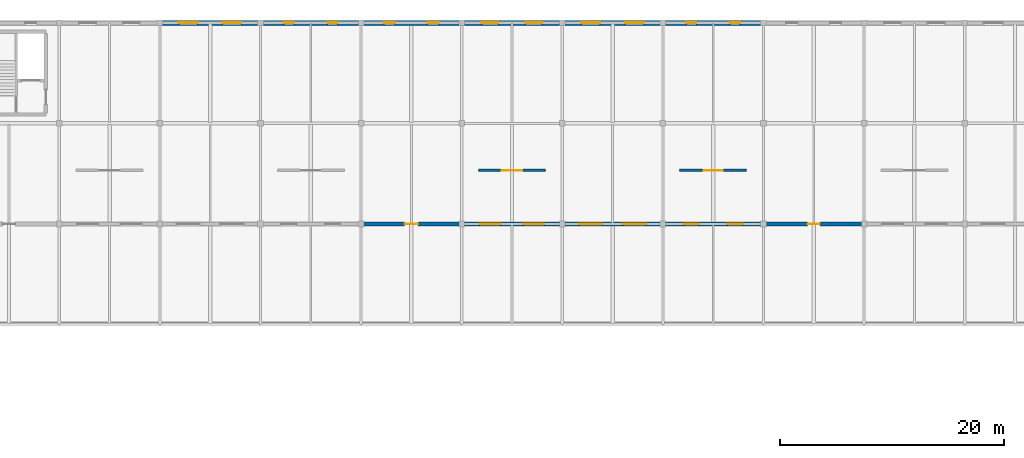
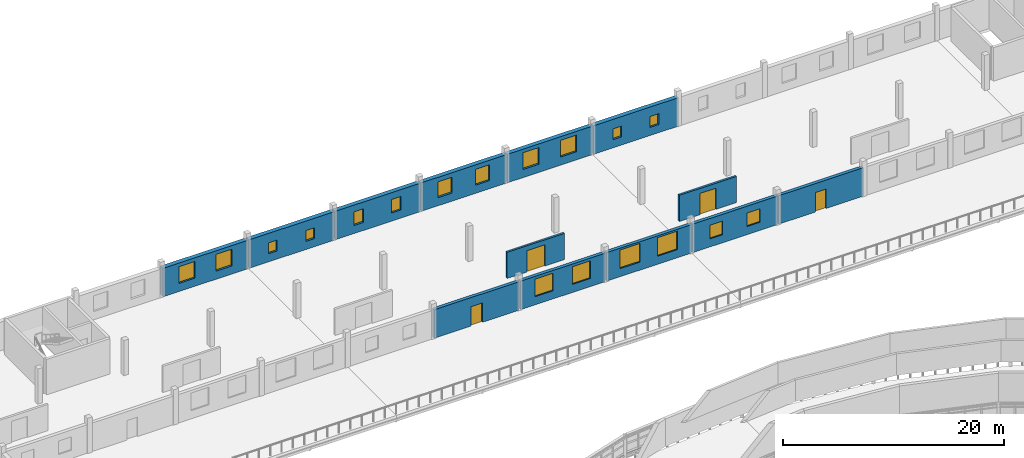
# One storey, part 110 of 123: 18 windows, 13 walls, 4 doors, 22 openings.
"""IFC4 building model written with IfcOpenShell, lengths in metres."""

from ifc_helpers import new_model, si_unit, direction, frame, frame_2d, origin, place, context, subcontext, project, spatial, rectangle, extrude, material, layer, layer_set, type_object, element, fill, save


model = new_model("IFC4")

# Units and contexts
model_context = context("Model", 3, precision=1e-05, world=origin(), true_north=direction((0.0, 1.0)))
body_context = subcontext(model_context, "Body", "Model", "MODEL_VIEW")
ifc_project = project(units=[si_unit("LENGTHUNIT", "METRE"), si_unit("AREAUNIT", "SQUARE_METRE"), si_unit("VOLUMEUNIT", "CUBIC_METRE"), si_unit("PLANEANGLEUNIT", "RADIAN"), si_unit("MASSUNIT", "GRAM", prefix="KILO")], contexts=[model_context])

# Site, building, storey
site_placement = place(None, origin())
site = spatial("IfcSite", under=ifc_project, at=site_placement, CompositionType="ELEMENT")
building_placement = place(site_placement, origin())
building = spatial("IfcBuilding", under=site, at=building_placement, Name="Kildeholm Park Wholesale Market", CompositionType="ELEMENT")
storey_placement = place(building_placement, frame((0.0, 0.0, 9.60009765625)))
storey = spatial("IfcBuildingStorey", under=building, at=storey_placement, Name="L02", CompositionType="ELEMENT", Elevation=9.60009765625)

# Wall, openings, windows
ifc_material_1 = material(Name="Precast concrete C40/50 ripening envelope wall", Category="concrete")
ifc_layer_1 = layer(ifc_material_1, 0.449951171875)
ifc_layer_set_1 = layer_set([ifc_layer_1], Name="Precast concrete C40/50 ripening envelope wall")
wall_type_1 = type_object("IfcWallType", Name="Exterior wall W-CS3 450 mm", PredefinedType="SOLIDWALL", material=ifc_layer_set_1)
wall_1_placement = place(storey_placement, frame((63.06005859375, 171.0, 0.0), z_axis=(0.0, 0.0, 1.0), x_axis=(1.0, 0.0, 0.0)))
wall_1 = element("IfcWall", 1, at=wall_1_placement, inside=storey, type_object=wall_type_1, Name="Exterior wall V4N-L02.8 WL-0364", PredefinedType="SOLIDWALL", context=body_context, shape_type="SweptSolid", body=[
    extrude(rectangle(XDim=8.8798828125, YDim=0.449951171875, at=frame_2d((4.43994140625, 0.0))), origin(), (0.0, 0.0, 1.0), 3.14990234375),
])
opening_1_placement = place(wall_1_placement, frame((1.64599609375, 0.0, 0.89990234375)))
opening_1 = element("IfcOpeningElement", 2, at=opening_1_placement, cuts=wall_1, Name="Opening WN-38", PredefinedType="OPENING", context=body_context, shape_type="SweptSolid", body=[
    extrude(rectangle(XDim=1.679931640625, YDim=1.85009765625, at=frame_2d((0.83984375, 0.925048828125))), frame((0.0, 0.23486328125, 0.0), z_axis=(0.0, -1.0, 0.0), x_axis=(1.0, 0.0, 0.0)), (0.0, 0.0, 1.0), 0.469970703125),
])
opening_2_placement = place(wall_1_placement, frame((5.553955078125, 0.0, 0.89990234375)))
opening_2 = element("IfcOpeningElement", 3, at=opening_2_placement, cuts=wall_1, Name="Opening WN-38", PredefinedType="OPENING", context=body_context, shape_type="SweptSolid", body=[
    extrude(rectangle(XDim=1.679931640625, YDim=1.85009765625, at=frame_2d((0.83984375, 0.925048828125))), frame((0.0, 0.23486328125, 0.0), z_axis=(0.0, -1.0, 0.0), x_axis=(1.0, 0.0, 0.0)), (0.0, 0.0, 1.0), 0.469970703125),
])
ifc_material_2 = material(Name="Thermally broken aluminium and triple-glazed low-E glass", Category="aluminium")
window_type_1 = type_object("IfcWindowType", Name="Window WN-38 1680x1850", PartitioningType="DOUBLE_PANEL_VERTICAL", PredefinedType="WINDOW", material=ifc_material_2)
window_1_placement = place(opening_1_placement, origin())
window_1 = element("IfcWindow", 4, at=window_1_placement, inside=storey, type_object=window_type_1, Name="Window V4N-L02.8.1 WIN-0155", OverallHeight=1.85009765625, OverallWidth=1.679931640625, PartitioningType="SINGLE_PANEL", PredefinedType="WINDOW", context=body_context, shape_type="SweptSolid", body=[
    extrude(rectangle(XDim=1.679931640625, YDim=1.85009765625, at=frame_2d((0.83984375, 0.925048828125))), frame((0.0, 0.030029296875, 0.0), z_axis=(0.0, -1.0, 0.0), x_axis=(1.0, 0.0, 0.0)), (0.0, 0.0, 1.0), 0.06005859375),
])
fill(opening_1, window_1)
window_2_placement = place(opening_2_placement, origin())
window_2 = element("IfcWindow", 5, at=window_2_placement, inside=storey, type_object=window_type_1, Name="Window V4N-L02.8.2 WIN-0156", OverallHeight=1.85009765625, OverallWidth=1.679931640625, PartitioningType="SINGLE_PANEL", PredefinedType="WINDOW", context=body_context, shape_type="SweptSolid", body=[
    extrude(rectangle(XDim=1.679931640625, YDim=1.85009765625, at=frame_2d((0.83984375, 0.925048828125))), frame((0.0, 0.030029296875, 0.0), z_axis=(0.0, -1.0, 0.0), x_axis=(1.0, 0.0, 0.0)), (0.0, 0.0, 1.0), 0.06005859375),
])
fill(opening_2, window_2)

wall_2_placement = place(storey_placement, frame((72.06005859375, 171.0, 0.0), z_axis=(0.0, 0.0, 1.0), x_axis=(1.0, 0.0, 0.0)))
wall_2 = element("IfcWall", 6, at=wall_2_placement, inside=storey, type_object=wall_type_1, Name="Exterior wall V4N-L02.9 WL-0365", PredefinedType="SOLIDWALL", context=body_context, shape_type="SweptSolid", body=[
    extrude(rectangle(XDim=8.8798828125, YDim=0.449951171875, at=frame_2d((4.43994140625, 0.0))), origin(), (0.0, 0.0, 1.0), 3.14990234375),
])
opening_3_placement = place(wall_2_placement, frame((2.035888671875, 0.0, 0.89990234375)))
opening_3 = element("IfcOpeningElement", 7, at=opening_3_placement, cuts=wall_2, Name="Opening WN-17", PredefinedType="OPENING", context=body_context, shape_type="SweptSolid", body=[
    extrude(rectangle(XDim=0.89990234375, YDim=1.199951171875, at=frame_2d((0.449951171875, 0.60009765625))), frame((0.0, 0.23486328125, 0.0), z_axis=(0.0, -1.0, 0.0), x_axis=(1.0, 0.0, 0.0)), (0.0, 0.0, 1.0), 0.469970703125),
])
opening_4_placement = place(wall_2_placement, frame((5.944091796875, 0.0, 0.89990234375)))
opening_4 = element("IfcOpeningElement", 8, at=opening_4_placement, cuts=wall_2, Name="Opening WN-17", PredefinedType="OPENING", context=body_context, shape_type="SweptSolid", body=[
    extrude(rectangle(XDim=0.89990234375, YDim=1.199951171875, at=frame_2d((0.449951171875, 0.60009765625))), frame((0.0, 0.23486328125, 0.0), z_axis=(0.0, -1.0, 0.0), x_axis=(1.0, 0.0, 0.0)), (0.0, 0.0, 1.0), 0.469970703125),
])
window_type_2 = type_object("IfcWindowType", Name="Window WN-17 900x1200", PartitioningType="SINGLE_PANEL", PredefinedType="WINDOW", material=ifc_material_2)
window_3_placement = place(opening_3_placement, origin())
window_3 = element("IfcWindow", 9, at=window_3_placement, inside=storey, type_object=window_type_2, Name="Window V4N-L02.9.1 WIN-0157", OverallHeight=1.199951171875, OverallWidth=0.89990234375, PartitioningType="SINGLE_PANEL", PredefinedType="WINDOW", context=body_context, shape_type="SweptSolid", body=[
    extrude(rectangle(XDim=0.89990234375, YDim=1.199951171875, at=frame_2d((0.449951171875, 0.60009765625))), frame((0.0, 0.030029296875, 0.0), z_axis=(0.0, -1.0, 0.0), x_axis=(1.0, 0.0, 0.0)), (0.0, 0.0, 1.0), 0.06005859375),
])
fill(opening_3, window_3)
window_4_placement = place(opening_4_placement, origin())
window_4 = element("IfcWindow", 10, at=window_4_placement, inside=storey, type_object=window_type_2, Name="Window V4N-L02.9.2 WIN-0158", OverallHeight=1.199951171875, OverallWidth=0.89990234375, PartitioningType="SINGLE_PANEL", PredefinedType="WINDOW", context=body_context, shape_type="SweptSolid", body=[
    extrude(rectangle(XDim=0.89990234375, YDim=1.199951171875, at=frame_2d((0.449951171875, 0.60009765625))), frame((0.0, 0.030029296875, 0.0), z_axis=(0.0, -1.0, 0.0), x_axis=(1.0, 0.0, 0.0)), (0.0, 0.0, 1.0), 0.06005859375),
])
fill(opening_4, window_4)

wall_3_placement = place(storey_placement, frame((81.06005859375, 171.0, 0.0), z_axis=(0.0, 0.0, 1.0), x_axis=(1.0, 0.0, 0.0)))
wall_3 = element("IfcWall", 11, at=wall_3_placement, inside=storey, type_object=wall_type_1, Name="Exterior wall V4N-L02.10 WL-0366", PredefinedType="SOLIDWALL", context=body_context, shape_type="SweptSolid", body=[
    extrude(rectangle(XDim=8.8798828125, YDim=0.449951171875, at=frame_2d((4.43994140625, 0.0))), origin(), (0.0, 0.0, 1.0), 3.14990234375),
])
opening_5_placement = place(wall_3_placement, frame((1.986083984375, 0.0, 0.89990234375)))
opening_5 = element("IfcOpeningElement", 12, at=opening_5_placement, cuts=wall_3, Name="Opening WN-09", PredefinedType="OPENING", context=body_context, shape_type="SweptSolid", body=[
    extrude(rectangle(XDim=1.0, YDim=1.5, at=frame_2d((0.5, 0.75))), frame((0.0, 0.23486328125, 0.0), z_axis=(0.0, -1.0, 0.0), x_axis=(1.0, 0.0, 0.0)), (0.0, 0.0, 1.0), 0.469970703125),
])
opening_6_placement = place(wall_3_placement, frame((5.89404296875, 0.0, 0.89990234375)))
opening_6 = element("IfcOpeningElement", 13, at=opening_6_placement, cuts=wall_3, Name="Opening WN-09", PredefinedType="OPENING", context=body_context, shape_type="SweptSolid", body=[
    extrude(rectangle(XDim=1.0, YDim=1.5, at=frame_2d((0.5, 0.75))), frame((0.0, 0.23486328125, 0.0), z_axis=(0.0, -1.0, 0.0), x_axis=(1.0, 0.0, 0.0)), (0.0, 0.0, 1.0), 0.469970703125),
])
window_type_3 = type_object("IfcWindowType", Name="Window WN-09 1000x1500", PartitioningType="SINGLE_PANEL", PredefinedType="WINDOW", material=ifc_material_2)
window_5_placement = place(opening_5_placement, origin())
window_5 = element("IfcWindow", 14, at=window_5_placement, inside=storey, type_object=window_type_3, Name="Window V4N-L02.10.1 WIN-0159", OverallHeight=1.5, OverallWidth=1.0, PartitioningType="SINGLE_PANEL", PredefinedType="WINDOW", context=body_context, shape_type="SweptSolid", body=[
    extrude(rectangle(XDim=1.0, YDim=1.5, at=frame_2d((0.5, 0.75))), frame((0.0, 0.030029296875, 0.0), z_axis=(0.0, -1.0, 0.0), x_axis=(1.0, 0.0, 0.0)), (0.0, 0.0, 1.0), 0.06005859375),
])
fill(opening_5, window_5)
window_6_placement = place(opening_6_placement, origin())
window_6 = element("IfcWindow", 15, at=window_6_placement, inside=storey, type_object=window_type_3, Name="Window V4N-L02.10.2 WIN-0160", OverallHeight=1.5, OverallWidth=1.0, PartitioningType="SINGLE_PANEL", PredefinedType="WINDOW", context=body_context, shape_type="SweptSolid", body=[
    extrude(rectangle(XDim=1.0, YDim=1.5, at=frame_2d((0.5, 0.75))), frame((0.0, 0.030029296875, 0.0), z_axis=(0.0, -1.0, 0.0), x_axis=(1.0, 0.0, 0.0)), (0.0, 0.0, 1.0), 0.06005859375),
])
fill(opening_6, window_6)

wall_4_placement = place(storey_placement, frame((90.06005859375, 171.0, 0.0), z_axis=(0.0, 0.0, 1.0), x_axis=(1.0, 0.0, 0.0)))
wall_4 = element("IfcWall", 16, at=wall_4_placement, inside=storey, type_object=wall_type_1, Name="Exterior wall V4N-L02.11 WL-0367", PredefinedType="SOLIDWALL", context=body_context, shape_type="SweptSolid", body=[
    extrude(rectangle(XDim=8.8798828125, YDim=0.449951171875, at=frame_2d((4.43994140625, 0.0))), origin(), (0.0, 0.0, 1.0), 3.14990234375),
])
opening_7_placement = place(wall_4_placement, frame((1.74609375, 0.0, 0.89990234375)))
opening_7 = element("IfcOpeningElement", 17, at=opening_7_placement, cuts=wall_4, Name="Opening WN-37", PredefinedType="OPENING", context=body_context, shape_type="SweptSolid", body=[
    extrude(rectangle(XDim=1.47998046875, YDim=1.75, at=frame_2d((0.739990234375, 0.875))), frame((0.0, 0.23486328125, 0.0), z_axis=(0.0, -1.0, 0.0), x_axis=(1.0, 0.0, 0.0)), (0.0, 0.0, 1.0), 0.469970703125),
])
opening_8_placement = place(wall_4_placement, frame((5.654052734375, 0.0, 0.89990234375)))
opening_8 = element("IfcOpeningElement", 18, at=opening_8_placement, cuts=wall_4, Name="Opening WN-37", PredefinedType="OPENING", context=body_context, shape_type="SweptSolid", body=[
    extrude(rectangle(XDim=1.47998046875, YDim=1.75, at=frame_2d((0.739990234375, 0.875))), frame((0.0, 0.23486328125, 0.0), z_axis=(0.0, -1.0, 0.0), x_axis=(1.0, 0.0, 0.0)), (0.0, 0.0, 1.0), 0.469970703125),
])
window_type_4 = type_object("IfcWindowType", Name="Window WN-37 1480x1750", PartitioningType="DOUBLE_PANEL_VERTICAL", PredefinedType="WINDOW", material=ifc_material_2)
window_7_placement = place(opening_7_placement, origin())
window_7 = element("IfcWindow", 19, at=window_7_placement, inside=storey, type_object=window_type_4, Name="Window V4N-L02.11.1 WIN-0161", OverallHeight=1.75, OverallWidth=1.47998046875, PartitioningType="SINGLE_PANEL", PredefinedType="WINDOW", context=body_context, shape_type="SweptSolid", body=[
    extrude(rectangle(XDim=1.47998046875, YDim=1.75, at=frame_2d((0.739990234375, 0.875))), frame((0.0, 0.030029296875, 0.0), z_axis=(0.0, -1.0, 0.0), x_axis=(1.0, 0.0, 0.0)), (0.0, 0.0, 1.0), 0.06005859375),
])
fill(opening_7, window_7)
window_8_placement = place(opening_8_placement, origin())
window_8 = element("IfcWindow", 20, at=window_8_placement, inside=storey, type_object=window_type_4, Name="Window V4N-L02.11.2 WIN-0162", OverallHeight=1.75, OverallWidth=1.47998046875, PartitioningType="SINGLE_PANEL", PredefinedType="WINDOW", context=body_context, shape_type="SweptSolid", body=[
    extrude(rectangle(XDim=1.47998046875, YDim=1.75, at=frame_2d((0.739990234375, 0.875))), frame((0.0, 0.030029296875, 0.0), z_axis=(0.0, -1.0, 0.0), x_axis=(1.0, 0.0, 0.0)), (0.0, 0.0, 1.0), 0.06005859375),
])
fill(opening_8, window_8)

wall_5_placement = place(storey_placement, frame((99.06005859375, 171.0, 0.0), z_axis=(0.0, 0.0, 1.0), x_axis=(1.0, 0.0, 0.0)))
wall_5 = element("IfcWall", 21, at=wall_5_placement, inside=storey, type_object=wall_type_1, Name="Exterior wall V4N-L02.12 WL-0368", PredefinedType="SOLIDWALL", context=body_context, shape_type="SweptSolid", body=[
    extrude(rectangle(XDim=8.8798828125, YDim=0.449951171875, at=frame_2d((4.43994140625, 0.0))), origin(), (0.0, 0.0, 1.0), 3.14990234375),
])
opening_9_placement = place(wall_5_placement, frame((1.64599609375, 0.0, 0.89990234375)))
opening_9 = element("IfcOpeningElement", 22, at=opening_9_placement, cuts=wall_5, Name="Opening WN-38", PredefinedType="OPENING", context=body_context, shape_type="SweptSolid", body=[
    extrude(rectangle(XDim=1.679931640625, YDim=1.85009765625, at=frame_2d((0.83984375, 0.925048828125))), frame((0.0, 0.23486328125, 0.0), z_axis=(0.0, -1.0, 0.0), x_axis=(1.0, 0.0, 0.0)), (0.0, 0.0, 1.0), 0.469970703125),
])
opening_10_placement = place(wall_5_placement, frame((5.553955078125, 0.0, 0.89990234375)))
opening_10 = element("IfcOpeningElement", 23, at=opening_10_placement, cuts=wall_5, Name="Opening WN-38", PredefinedType="OPENING", context=body_context, shape_type="SweptSolid", body=[
    extrude(rectangle(XDim=1.679931640625, YDim=1.85009765625, at=frame_2d((0.83984375, 0.925048828125))), frame((0.0, 0.23486328125, 0.0), z_axis=(0.0, -1.0, 0.0), x_axis=(1.0, 0.0, 0.0)), (0.0, 0.0, 1.0), 0.469970703125),
])
window_9_placement = place(opening_9_placement, origin())
window_9 = element("IfcWindow", 24, at=window_9_placement, inside=storey, type_object=window_type_1, Name="Window V4N-L02.12.1 WIN-0163", OverallHeight=1.85009765625, OverallWidth=1.679931640625, PartitioningType="SINGLE_PANEL", PredefinedType="WINDOW", context=body_context, shape_type="SweptSolid", body=[
    extrude(rectangle(XDim=1.679931640625, YDim=1.85009765625, at=frame_2d((0.83984375, 0.925048828125))), frame((0.0, 0.030029296875, 0.0), z_axis=(0.0, -1.0, 0.0), x_axis=(1.0, 0.0, 0.0)), (0.0, 0.0, 1.0), 0.06005859375),
])
fill(opening_9, window_9)
window_10_placement = place(opening_10_placement, origin())
window_10 = element("IfcWindow", 25, at=window_10_placement, inside=storey, type_object=window_type_1, Name="Window V4N-L02.12.2 WIN-0164", OverallHeight=1.85009765625, OverallWidth=1.679931640625, PartitioningType="SINGLE_PANEL", PredefinedType="WINDOW", context=body_context, shape_type="SweptSolid", body=[
    extrude(rectangle(XDim=1.679931640625, YDim=1.85009765625, at=frame_2d((0.83984375, 0.925048828125))), frame((0.0, 0.030029296875, 0.0), z_axis=(0.0, -1.0, 0.0), x_axis=(1.0, 0.0, 0.0)), (0.0, 0.0, 1.0), 0.06005859375),
])
fill(opening_10, window_10)

wall_6_placement = place(storey_placement, frame((108.06005859375, 171.0, 0.0), z_axis=(0.0, 0.0, 1.0), x_axis=(1.0, 0.0, 0.0)))
wall_6 = element("IfcWall", 26, at=wall_6_placement, inside=storey, type_object=wall_type_1, Name="Exterior wall V4N-L02.13 WL-0369", PredefinedType="SOLIDWALL", context=body_context, shape_type="SweptSolid", body=[
    extrude(rectangle(XDim=8.8798828125, YDim=0.449951171875, at=frame_2d((4.43994140625, 0.0))), origin(), (0.0, 0.0, 1.0), 3.14990234375),
])
opening_11_placement = place(wall_6_placement, frame((2.035888671875, 0.0, 0.89990234375)))
opening_11 = element("IfcOpeningElement", 27, at=opening_11_placement, cuts=wall_6, Name="Opening WN-17", PredefinedType="OPENING", context=body_context, shape_type="SweptSolid", body=[
    extrude(rectangle(XDim=0.89990234375, YDim=1.199951171875, at=frame_2d((0.449951171875, 0.60009765625))), frame((0.0, 0.23486328125, 0.0), z_axis=(0.0, -1.0, 0.0), x_axis=(1.0, 0.0, 0.0)), (0.0, 0.0, 1.0), 0.469970703125),
])
opening_12_placement = place(wall_6_placement, frame((5.944091796875, 0.0, 0.89990234375)))
opening_12 = element("IfcOpeningElement", 28, at=opening_12_placement, cuts=wall_6, Name="Opening WN-17", PredefinedType="OPENING", context=body_context, shape_type="SweptSolid", body=[
    extrude(rectangle(XDim=0.89990234375, YDim=1.199951171875, at=frame_2d((0.449951171875, 0.60009765625))), frame((0.0, 0.23486328125, 0.0), z_axis=(0.0, -1.0, 0.0), x_axis=(1.0, 0.0, 0.0)), (0.0, 0.0, 1.0), 0.469970703125),
])
window_11_placement = place(opening_11_placement, origin())
window_11 = element("IfcWindow", 29, at=window_11_placement, inside=storey, type_object=window_type_2, Name="Window V4N-L02.13.1 WIN-0165", OverallHeight=1.199951171875, OverallWidth=0.89990234375, PartitioningType="SINGLE_PANEL", PredefinedType="WINDOW", context=body_context, shape_type="SweptSolid", body=[
    extrude(rectangle(XDim=0.89990234375, YDim=1.199951171875, at=frame_2d((0.449951171875, 0.60009765625))), frame((0.0, 0.030029296875, 0.0), z_axis=(0.0, -1.0, 0.0), x_axis=(1.0, 0.0, 0.0)), (0.0, 0.0, 1.0), 0.06005859375),
])
fill(opening_11, window_11)
window_12_placement = place(opening_12_placement, origin())
window_12 = element("IfcWindow", 30, at=window_12_placement, inside=storey, type_object=window_type_2, Name="Window V4N-L02.13.2 WIN-0166", OverallHeight=1.199951171875, OverallWidth=0.89990234375, PartitioningType="SINGLE_PANEL", PredefinedType="WINDOW", context=body_context, shape_type="SweptSolid", body=[
    extrude(rectangle(XDim=0.89990234375, YDim=1.199951171875, at=frame_2d((0.449951171875, 0.60009765625))), frame((0.0, 0.030029296875, 0.0), z_axis=(0.0, -1.0, 0.0), x_axis=(1.0, 0.0, 0.0)), (0.0, 0.0, 1.0), 0.06005859375),
])
fill(opening_12, window_12)

# Wall, opening, door
ifc_material_3 = material(Name="Precast concrete C40/50 architectural rainscreen wall", Category="concrete")
ifc_layer_2 = layer(ifc_material_3, 0.340087890625)
ifc_layer_set_2 = layer_set([ifc_layer_2], Name="Precast concrete C40/50 architectural rainscreen wall")
wall_type_2 = type_object("IfcWallType", Name="Exterior wall W-EX4 340 mm", PredefinedType="SOLIDWALL", material=ifc_layer_set_2)
wall_7_placement = place(storey_placement, frame((81.06005859375, 153.0, 0.0), z_axis=(0.0, 0.0, 1.0), x_axis=(1.0, 0.0, 0.0)))
wall_7 = element("IfcWall", 31, at=wall_7_placement, inside=storey, type_object=wall_type_2, Name="Exterior wall V4S-L02.6 WL-0474", PredefinedType="SOLIDWALL", context=body_context, shape_type="SweptSolid", body=[
    extrude(rectangle(XDim=8.8798828125, YDim=0.340087890625, at=frame_2d((4.43994140625, 0.0))), origin(), (0.0, 0.0, 1.0), 3.14990234375),
])
opening_13_placement = place(wall_7_placement, frame((3.840087890625, 0.0, 0.0)))
opening_13 = element("IfcOpeningElement", 32, at=opening_13_placement, cuts=wall_7, Name="Opening D-EX11", PredefinedType="OPENING", context=body_context, shape_type="SweptSolid", body=[
    extrude(rectangle(XDim=1.199951171875, YDim=2.14990234375, at=frame_2d((0.60009765625, 1.074951171875))), frame((0.0, 0.179931640625, 0.0), z_axis=(0.0, -1.0, 0.0), x_axis=(1.0, 0.0, 0.0)), (0.0, 0.0, 1.0), 0.360107421875),
])
ifc_material_4 = material(Name="Anodised aluminium terrace leaf door", Category="aluminium")
door_type_1 = type_object("IfcDoorType", Name="Exterior door D-EX11 1200x2150", OperationType="NOTDEFINED", PredefinedType="DOOR", material=ifc_material_4)
door_1_placement = place(opening_13_placement, frame((1.199951171875, 0.0, 0.0), z_axis=(0.0, 0.0, 1.0), x_axis=(-1.0, 0.0, 0.0)))
door_1 = element("IfcDoor", 33, at=door_1_placement, inside=storey, type_object=door_type_1, Name="Door V4S-L02.6 DR-0045 WL-0474", OperationType="SINGLE_SWING_LEFT", OverallHeight=2.14990234375, OverallWidth=1.199951171875, PredefinedType="DOOR", context=body_context, shape_type="SweptSolid", body=[
    extrude(rectangle(XDim=1.199951171875, YDim=2.14990234375, at=frame_2d((0.60009765625, 1.074951171875))), frame((0.0, 0.02490234375, 0.0), z_axis=(0.0, -1.0, 0.0), x_axis=(1.0, 0.0, 0.0)), (0.0, 0.0, 1.0), 0.050048828125),
])
fill(opening_13, door_1)

# Wall, openings, windows
wall_8_placement = place(storey_placement, frame((90.06005859375, 153.0, 0.0), z_axis=(0.0, 0.0, 1.0), x_axis=(1.0, 0.0, 0.0)))
wall_8 = element("IfcWall", 34, at=wall_8_placement, inside=storey, type_object=wall_type_2, Name="Exterior wall V4S-L02.7 WL-0475", PredefinedType="SOLIDWALL", context=body_context, shape_type="SweptSolid", body=[
    extrude(rectangle(XDim=8.8798828125, YDim=0.340087890625, at=frame_2d((4.43994140625, 0.0))), origin(), (0.0, 0.0, 1.0), 3.14990234375),
])
opening_14_placement = place(wall_8_placement, frame((1.5458984375, 0.0, 0.89990234375)))
opening_14 = element("IfcOpeningElement", 35, at=opening_14_placement, cuts=wall_8, Name="Opening WN-39", PredefinedType="OPENING", context=body_context, shape_type="SweptSolid", body=[
    extrude(rectangle(XDim=1.8798828125, YDim=1.949951171875, at=frame_2d((0.93994140625, 0.97509765625))), frame((0.0, 0.179931640625, 0.0), z_axis=(0.0, -1.0, 0.0), x_axis=(1.0, 0.0, 0.0)), (0.0, 0.0, 1.0), 0.360107421875),
])
opening_15_placement = place(wall_8_placement, frame((5.4541015625, 0.0, 0.89990234375)))
opening_15 = element("IfcOpeningElement", 36, at=opening_15_placement, cuts=wall_8, Name="Opening WN-39", PredefinedType="OPENING", context=body_context, shape_type="SweptSolid", body=[
    extrude(rectangle(XDim=1.8798828125, YDim=1.949951171875, at=frame_2d((0.93994140625, 0.97509765625))), frame((0.0, 0.179931640625, 0.0), z_axis=(0.0, -1.0, 0.0), x_axis=(1.0, 0.0, 0.0)), (0.0, 0.0, 1.0), 0.360107421875),
])
window_type_5 = type_object("IfcWindowType", Name="Window WN-39 1880x1950", PartitioningType="DOUBLE_PANEL_VERTICAL", PredefinedType="WINDOW", material=ifc_material_2)
window_13_placement = place(opening_14_placement, origin())
window_13 = element("IfcWindow", 37, at=window_13_placement, inside=storey, type_object=window_type_5, Name="Window V4S-L02.7.1 WIN-0273", OverallHeight=1.949951171875, OverallWidth=1.8798828125, PartitioningType="SINGLE_PANEL", PredefinedType="WINDOW", context=body_context, shape_type="SweptSolid", body=[
    extrude(rectangle(XDim=1.8798828125, YDim=1.949951171875, at=frame_2d((0.93994140625, 0.97509765625))), frame((0.0, 0.030029296875, 0.0), z_axis=(0.0, -1.0, 0.0), x_axis=(1.0, 0.0, 0.0)), (0.0, 0.0, 1.0), 0.06005859375),
])
fill(opening_14, window_13)
window_14_placement = place(opening_15_placement, origin())
window_14 = element("IfcWindow", 38, at=window_14_placement, inside=storey, type_object=window_type_5, Name="Window V4S-L02.7.2 WIN-0274", OverallHeight=1.949951171875, OverallWidth=1.8798828125, PartitioningType="SINGLE_PANEL", PredefinedType="WINDOW", context=body_context, shape_type="SweptSolid", body=[
    extrude(rectangle(XDim=1.8798828125, YDim=1.949951171875, at=frame_2d((0.93994140625, 0.97509765625))), frame((0.0, 0.030029296875, 0.0), z_axis=(0.0, -1.0, 0.0), x_axis=(1.0, 0.0, 0.0)), (0.0, 0.0, 1.0), 0.06005859375),
])
fill(opening_15, window_14)

wall_9_placement = place(storey_placement, frame((99.06005859375, 153.0, 0.0), z_axis=(0.0, 0.0, 1.0), x_axis=(1.0, 0.0, 0.0)))
wall_9 = element("IfcWall", 39, at=wall_9_placement, inside=storey, type_object=wall_type_2, Name="Exterior wall V4S-L02.8 WL-0476", PredefinedType="SOLIDWALL", context=body_context, shape_type="SweptSolid", body=[
    extrude(rectangle(XDim=8.8798828125, YDim=0.340087890625, at=frame_2d((4.43994140625, 0.0))), origin(), (0.0, 0.0, 1.0), 3.14990234375),
])
opening_16_placement = place(wall_9_placement, frame((1.446044921875, 0.0, 0.89990234375)))
opening_16 = element("IfcOpeningElement", 40, at=opening_16_placement, cuts=wall_9, Name="Opening WN-40", PredefinedType="OPENING", context=body_context, shape_type="SweptSolid", body=[
    extrude(rectangle(XDim=2.080078125, YDim=2.050048828125, at=frame_2d((1.0400390625, 1.02490234375))), frame((0.0, 0.179931640625, 0.0), z_axis=(0.0, -1.0, 0.0), x_axis=(1.0, 0.0, 0.0)), (0.0, 0.0, 1.0), 0.360107421875),
])
opening_17_placement = place(wall_9_placement, frame((5.35400390625, 0.0, 0.89990234375)))
opening_17 = element("IfcOpeningElement", 41, at=opening_17_placement, cuts=wall_9, Name="Opening WN-40", PredefinedType="OPENING", context=body_context, shape_type="SweptSolid", body=[
    extrude(rectangle(XDim=2.080078125, YDim=2.050048828125, at=frame_2d((1.0400390625, 1.02490234375))), frame((0.0, 0.179931640625, 0.0), z_axis=(0.0, -1.0, 0.0), x_axis=(1.0, 0.0, 0.0)), (0.0, 0.0, 1.0), 0.360107421875),
])
window_type_6 = type_object("IfcWindowType", Name="Window WN-40 2080x2050", PartitioningType="TRIPLE_PANEL_VERTICAL", PredefinedType="WINDOW", material=ifc_material_2)
window_15_placement = place(opening_16_placement, origin())
window_15 = element("IfcWindow", 42, at=window_15_placement, inside=storey, type_object=window_type_6, Name="Window V4S-L02.8.1 WIN-0275", OverallHeight=2.050048828125, OverallWidth=2.080078125, PartitioningType="SINGLE_PANEL", PredefinedType="WINDOW", context=body_context, shape_type="SweptSolid", body=[
    extrude(rectangle(XDim=2.080078125, YDim=2.050048828125, at=frame_2d((1.0400390625, 1.02490234375))), frame((0.0, 0.030029296875, 0.0), z_axis=(0.0, -1.0, 0.0), x_axis=(1.0, 0.0, 0.0)), (0.0, 0.0, 1.0), 0.06005859375),
])
fill(opening_16, window_15)
window_16_placement = place(opening_17_placement, origin())
window_16 = element("IfcWindow", 43, at=window_16_placement, inside=storey, type_object=window_type_6, Name="Window V4S-L02.8.2 WIN-0276", OverallHeight=2.050048828125, OverallWidth=2.080078125, PartitioningType="SINGLE_PANEL", PredefinedType="WINDOW", context=body_context, shape_type="SweptSolid", body=[
    extrude(rectangle(XDim=2.080078125, YDim=2.050048828125, at=frame_2d((1.0400390625, 1.02490234375))), frame((0.0, 0.030029296875, 0.0), z_axis=(0.0, -1.0, 0.0), x_axis=(1.0, 0.0, 0.0)), (0.0, 0.0, 1.0), 0.06005859375),
])
fill(opening_17, window_16)

wall_10_placement = place(storey_placement, frame((108.06005859375, 153.0, 0.0), z_axis=(0.0, 0.0, 1.0), x_axis=(1.0, 0.0, 0.0)))
wall_10 = element("IfcWall", 44, at=wall_10_placement, inside=storey, type_object=wall_type_2, Name="Exterior wall V4S-L02.9 WL-0477", PredefinedType="SOLIDWALL", context=body_context, shape_type="SweptSolid", body=[
    extrude(rectangle(XDim=8.8798828125, YDim=0.340087890625, at=frame_2d((4.43994140625, 0.0))), origin(), (0.0, 0.0, 1.0), 3.14990234375),
])
opening_18_placement = place(wall_10_placement, frame((1.81103515625, 0.0, 0.89990234375)))
opening_18 = element("IfcOpeningElement", 45, at=opening_18_placement, cuts=wall_10, Name="Opening WN-10", PredefinedType="OPENING", context=body_context, shape_type="SweptSolid", body=[
    extrude(rectangle(XDim=1.35009765625, YDim=1.5, at=frame_2d((0.675048828125, 0.75))), frame((0.0, 0.179931640625, 0.0), z_axis=(0.0, -1.0, 0.0), x_axis=(1.0, 0.0, 0.0)), (0.0, 0.0, 1.0), 0.360107421875),
])
opening_19_placement = place(wall_10_placement, frame((5.718994140625, 0.0, 0.89990234375)))
opening_19 = element("IfcOpeningElement", 46, at=opening_19_placement, cuts=wall_10, Name="Opening WN-10", PredefinedType="OPENING", context=body_context, shape_type="SweptSolid", body=[
    extrude(rectangle(XDim=1.35009765625, YDim=1.5, at=frame_2d((0.675048828125, 0.75))), frame((0.0, 0.179931640625, 0.0), z_axis=(0.0, -1.0, 0.0), x_axis=(1.0, 0.0, 0.0)), (0.0, 0.0, 1.0), 0.360107421875),
])
window_type_7 = type_object("IfcWindowType", Name="Window WN-10 1350x1500", PartitioningType="SINGLE_PANEL", PredefinedType="WINDOW", material=ifc_material_2)
window_17_placement = place(opening_18_placement, origin())
window_17 = element("IfcWindow", 47, at=window_17_placement, inside=storey, type_object=window_type_7, Name="Window V4S-L02.9.1 WIN-0277", OverallHeight=1.5, OverallWidth=1.35009765625, PartitioningType="SINGLE_PANEL", PredefinedType="WINDOW", context=body_context, shape_type="SweptSolid", body=[
    extrude(rectangle(XDim=1.35009765625, YDim=1.5, at=frame_2d((0.675048828125, 0.75))), frame((0.0, 0.030029296875, 0.0), z_axis=(0.0, -1.0, 0.0), x_axis=(1.0, 0.0, 0.0)), (0.0, 0.0, 1.0), 0.06005859375),
])
fill(opening_18, window_17)
window_18_placement = place(opening_19_placement, origin())
window_18 = element("IfcWindow", 48, at=window_18_placement, inside=storey, type_object=window_type_7, Name="Window V4S-L02.9.2 WIN-0278", OverallHeight=1.5, OverallWidth=1.35009765625, PartitioningType="SINGLE_PANEL", PredefinedType="WINDOW", context=body_context, shape_type="SweptSolid", body=[
    extrude(rectangle(XDim=1.35009765625, YDim=1.5, at=frame_2d((0.675048828125, 0.75))), frame((0.0, 0.030029296875, 0.0), z_axis=(0.0, -1.0, 0.0), x_axis=(1.0, 0.0, 0.0)), (0.0, 0.0, 1.0), 0.06005859375),
])
fill(opening_19, window_18)

# Wall, opening, door
wall_11_placement = place(storey_placement, frame((117.06005859375, 153.0, 0.0), z_axis=(0.0, 0.0, 1.0), x_axis=(1.0, 0.0, 0.0)))
wall_11 = element("IfcWall", 49, at=wall_11_placement, inside=storey, type_object=wall_type_2, Name="Exterior wall V4S-L02.10 WL-0478", PredefinedType="SOLIDWALL", context=body_context, shape_type="SweptSolid", body=[
    extrude(rectangle(XDim=8.8798828125, YDim=0.340087890625, at=frame_2d((4.43994140625, 0.0))), origin(), (0.0, 0.0, 1.0), 3.14990234375),
])
opening_20_placement = place(wall_11_placement, frame((3.889892578125, 0.0, 0.0)))
opening_20 = element("IfcOpeningElement", 50, at=opening_20_placement, cuts=wall_11, Name="Opening D-EX06", PredefinedType="OPENING", context=body_context, shape_type="SweptSolid", body=[
    extrude(rectangle(XDim=1.10009765625, YDim=2.14990234375, at=frame_2d((0.550048828125, 1.074951171875))), frame((0.0, 0.179931640625, 0.0), z_axis=(0.0, -1.0, 0.0), x_axis=(1.0, 0.0, 0.0)), (0.0, 0.0, 1.0), 0.360107421875),
])
ifc_material_5 = material(Name="Anodised aluminium terrace doorset", Category="aluminium")
door_type_2 = type_object("IfcDoorType", Name="Exterior door D-EX06 1100x2150", OperationType="NOTDEFINED", PredefinedType="DOOR", material=ifc_material_5)
door_2_placement = place(opening_20_placement, frame((1.10009765625, 0.0, 0.0), z_axis=(0.0, 0.0, 1.0), x_axis=(-1.0, 0.0, 0.0)))
door_2 = element("IfcDoor", 51, at=door_2_placement, inside=storey, type_object=door_type_2, Name="Door V4S-L02.10 DR-0046 WL-0478", OperationType="SINGLE_SWING_RIGHT", OverallHeight=2.14990234375, OverallWidth=1.10009765625, PredefinedType="DOOR", context=body_context, shape_type="SweptSolid", body=[
    extrude(rectangle(XDim=1.10009765625, YDim=2.14990234375, at=frame_2d((0.550048828125, 1.074951171875))), frame((0.0, 0.02490234375, 0.0), z_axis=(0.0, -1.0, 0.0), x_axis=(1.0, 0.0, 0.0)), (0.0, 0.0, 1.0), 0.050048828125),
])
fill(opening_20, door_2)

ifc_material_6 = material(Name="Insulated ripening chamber airtight partition")
ifc_layer_3 = layer(ifc_material_6, 0.215087890625)
ifc_layer_set_3 = layer_set([ifc_layer_3], Name="Insulated ripening chamber airtight partition")
wall_type_3 = type_object("IfcWallType", Name="Partition W-PT08 215 mm", PredefinedType="PARTITIONING", material=ifc_layer_set_3)
wall_12_placement = place(storey_placement, frame((91.5, 157.800048828125, 0.0), z_axis=(0.0, 0.0, 1.0), x_axis=(1.0, 0.0, 0.0)))
wall_12 = element("IfcWall", 52, at=wall_12_placement, inside=storey, type_object=wall_type_3, Name="Interior partition W-V4-L02-RPS04 WL-0994", PredefinedType="PARTITIONING", context=body_context, shape_type="SweptSolid", body=[
    extrude(rectangle(XDim=6.0, YDim=0.215087890625, at=frame_2d((3.0, 0.0))), origin(), (0.0, 0.0, 1.0), 2.89990234375),
])
opening_21_placement = place(wall_12_placement, frame((2.074951171875, 0.0, 0.0)))
opening_21 = element("IfcOpeningElement", 53, at=opening_21_placement, cuts=wall_12, Name="Opening D-RP02", PredefinedType="OPENING", context=body_context, shape_type="SweptSolid", body=[
    extrude(rectangle(XDim=1.85009765625, YDim=2.35009765625, at=frame_2d((0.925048828125, 1.175048828125))), frame((0.0, 0.117431640625, 0.0), z_axis=(0.0, -1.0, 0.0), x_axis=(1.0, 0.0, 0.0)), (0.0, 0.0, 1.0), 0.235107421875),
])
ifc_material_7 = material(Name="Airtight ethylene ripening chamber doorset")
door_type_3 = type_object("IfcDoorType", Name="Interior door D-RP02 1850x2350", OperationType="NOTDEFINED", PredefinedType="DOOR", material=ifc_material_7)
door_3_placement = place(opening_21_placement, origin())
door_3 = element("IfcDoor", 54, at=door_3_placement, inside=storey, type_object=door_type_3, Name="Interior door V4-L02-RPS04 DR-0269 WL-0994", OperationType="SINGLE_SWING_LEFT", OverallHeight=2.35009765625, OverallWidth=1.85009765625, PredefinedType="DOOR", context=body_context, shape_type="SweptSolid", body=[
    extrude(rectangle(XDim=1.85009765625, YDim=2.35009765625, at=frame_2d((0.925048828125, 1.175048828125))), frame((0.0, 0.02490234375, 0.0), z_axis=(0.0, -1.0, 0.0), x_axis=(1.0, 0.0, 0.0)), (0.0, 0.0, 1.0), 0.050048828125),
])
fill(opening_21, door_3)

wall_13_placement = place(storey_placement, frame((109.5, 157.800048828125, 0.0), z_axis=(0.0, 0.0, 1.0), x_axis=(1.0, 0.0, 0.0)))
wall_13 = element("IfcWall", 55, at=wall_13_placement, inside=storey, type_object=wall_type_3, Name="Interior partition W-V4-L02-RPS05 WL-0995", PredefinedType="PARTITIONING", context=body_context, shape_type="SweptSolid", body=[
    extrude(rectangle(XDim=6.0, YDim=0.215087890625, at=frame_2d((3.0, 0.0))), origin(), (0.0, 0.0, 1.0), 2.89990234375),
])
opening_22_placement = place(wall_13_placement, frame((2.14990234375, 0.0, 0.0)))
opening_22 = element("IfcOpeningElement", 56, at=opening_22_placement, cuts=wall_13, Name="Opening D-RP01", PredefinedType="OPENING", context=body_context, shape_type="SweptSolid", body=[
    extrude(rectangle(XDim=1.699951171875, YDim=2.35009765625, at=frame_2d((0.85009765625, 1.175048828125))), frame((0.0, 0.117431640625, 0.0), z_axis=(0.0, -1.0, 0.0), x_axis=(1.0, 0.0, 0.0)), (0.0, 0.0, 1.0), 0.235107421875),
])
ifc_material_8 = material(Name="Airtight insulated ripening chamber doorset")
door_type_4 = type_object("IfcDoorType", Name="Interior door D-RP01 1700x2350", OperationType="NOTDEFINED", PredefinedType="DOOR", material=ifc_material_8)
door_4_placement = place(opening_22_placement, origin())
door_4 = element("IfcDoor", 57, at=door_4_placement, inside=storey, type_object=door_type_4, Name="Interior door V4-L02-RPS05 DR-0270 WL-0995", OperationType="SINGLE_SWING_RIGHT", OverallHeight=2.35009765625, OverallWidth=1.699951171875, PredefinedType="DOOR", context=body_context, shape_type="SweptSolid", body=[
    extrude(rectangle(XDim=1.699951171875, YDim=2.35009765625, at=frame_2d((0.85009765625, 1.175048828125))), frame((0.0, 0.02490234375, 0.0), z_axis=(0.0, -1.0, 0.0), x_axis=(1.0, 0.0, 0.0)), (0.0, 0.0, 1.0), 0.050048828125),
])
fill(opening_22, door_4)

save(model, "model.ifc")
